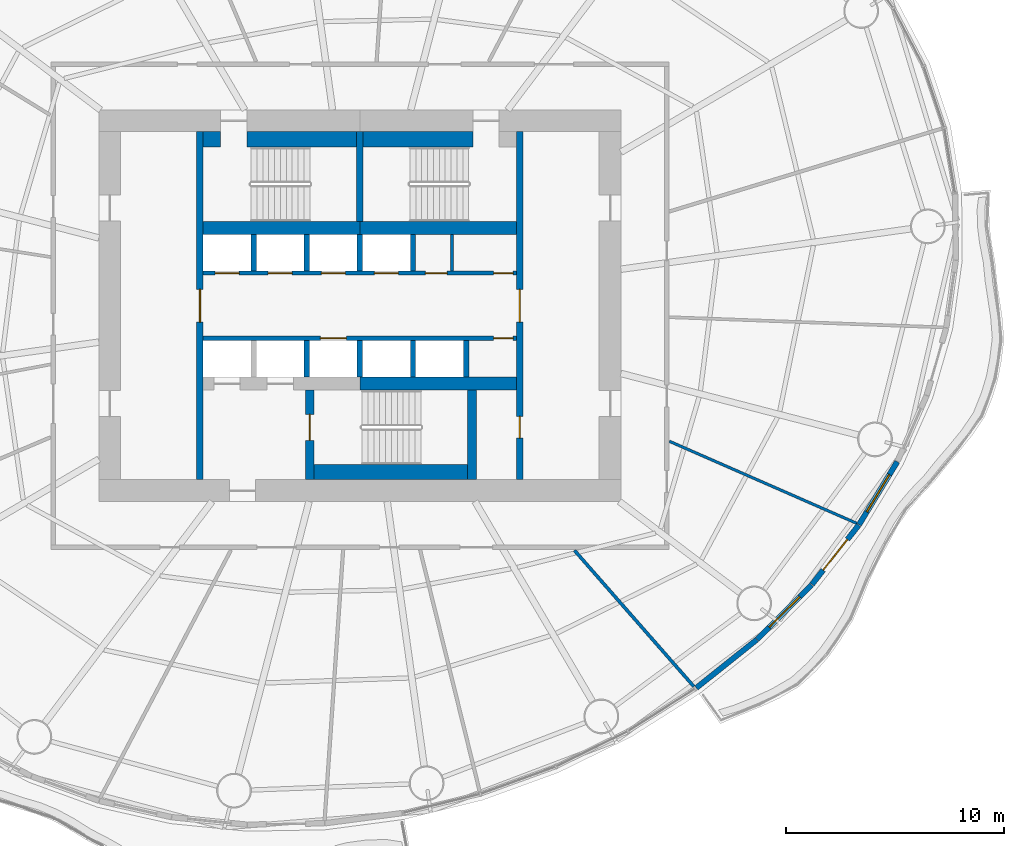
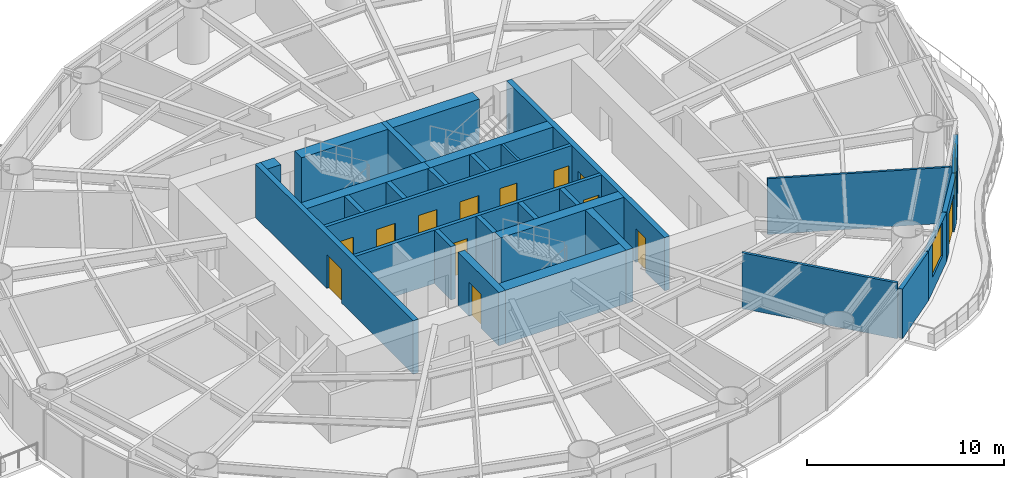
# One storey, part 9 of 14: 29 walls, 13 doors, 2 windows, 15 openings.
"""IFC4 building model written with IfcOpenShell, lengths in metres."""

from ifc_helpers import new_model, si_unit, direction, frame, frame_2d, origin, place, context, subcontext, project, spatial, rectangle, extrude, material, layer, layer_set, type_object, element, fill, save


model = new_model("IFC4")

# Units and contexts
model_context = context("Model", 3, precision=1e-05, world=origin(), true_north=direction((0.0, 1.0)))
body_context = subcontext(model_context, "Body", "Model", "MODEL_VIEW")
ifc_project = project(units=[si_unit("LENGTHUNIT", "METRE"), si_unit("AREAUNIT", "SQUARE_METRE"), si_unit("VOLUMEUNIT", "CUBIC_METRE"), si_unit("PLANEANGLEUNIT", "RADIAN"), si_unit("MASSUNIT", "GRAM", prefix="KILO")], contexts=[model_context])

# Site, building, storey
site_placement = place(None, origin())
site = spatial("IfcSite", under=ifc_project, at=site_placement, CompositionType="ELEMENT")
building_placement = place(site_placement, origin())
building = spatial("IfcBuilding", under=site, at=building_placement, Name="Vermilion Reach Broadcast Tower", CompositionType="ELEMENT")
storey_placement = place(building_placement, frame((0.0, 0.0, 124.60009765625)))
storey = spatial("IfcBuildingStorey", under=building, at=storey_placement, Name="L29", CompositionType="ELEMENT", Elevation=124.60009765625)

# Wall, opening, door
ifc_material_1 = material(Name="Concrete C70", Category="concrete")
ifc_layer_1 = layer(ifc_material_1, 0.300048828125)
ifc_layer_set_1 = layer_set([ifc_layer_1], Name="Core inner wall 300 mm Concrete C70")
wall_type_1 = type_object("IfcWallType", Name="Core inner wall 300 mm Concrete C70", PredefinedType="SHEAR", material=ifc_layer_set_1)
wall_1_placement = place(storey_placement, frame((-13.35009765625, 8.0, 0.0), z_axis=(0.0, 0.0, 1.0), x_axis=(0.0, -1.0, 0.0)))
wall_1 = element("IfcWall", 1, at=wall_1_placement, inside=storey, type_object=wall_type_1, Name="L29 core wall ewW", PredefinedType="SHEAR", context=body_context, shape_type="SweptSolid", body=[
    extrude(rectangle(XDim=16.0, YDim=0.300048828125, at=frame_2d((8.0, 0.0))), origin(), (0.0, 0.0, 1.0), 3.2998046875),
])
opening_1_placement = place(wall_1_placement, frame((7.25, 0.0, 0.0)))
opening_1 = element("IfcOpeningElement", 2, at=opening_1_placement, cuts=wall_1, Name="Opening D04", PredefinedType="OPENING", context=body_context, shape_type="SweptSolid", body=[
    extrude(rectangle(XDim=1.5, YDim=2.10009765625, at=frame_2d((0.75, 1.050048828125))), frame((0.0, 0.159912109375, 0.0), z_axis=(0.0, -1.0, 0.0), x_axis=(1.0, 0.0, 0.0)), (0.0, 0.0, 1.0), 0.320068359375),
])
ifc_material_2 = material(Name="Painted steel fire door", Category="steel")
door_type_1 = type_object("IfcDoorType", Name="Lift lobby door 1500 x 2100", OperationType="DOUBLE_DOOR_SINGLE_SWING", PredefinedType="NOTDEFINED", material=ifc_material_2)
door_1_placement = place(opening_1_placement, origin())
door_1 = element("IfcDoor", 3, at=door_1_placement, inside=storey, type_object=door_type_1, Name="L29 band door BW", OperationType="DOUBLE_DOOR_SINGLE_SWING", OverallHeight=2.10009765625, OverallWidth=1.5, PredefinedType="NOTDEFINED", context=body_context, shape_type="SweptSolid", body=[
    extrude(rectangle(XDim=1.5, YDim=2.10009765625, at=frame_2d((0.75, 1.050048828125))), frame((0.0, 0.02490234375, 0.0), z_axis=(0.0, -1.0, 0.0), x_axis=(1.0, 0.0, 0.0)), (0.0, 0.0, 1.0), 0.050048828125),
])
fill(opening_1, door_1)

# Wall, openings, doors
wall_2_placement = place(storey_placement, frame((1.35009765625, -8.0, 0.0), z_axis=(0.0, 0.0, 1.0), x_axis=(0.0, 1.0, 0.0)))
wall_2 = element("IfcWall", 4, at=wall_2_placement, inside=storey, type_object=wall_type_1, Name="L29 core wall ewE", PredefinedType="SHEAR", context=body_context, shape_type="SweptSolid", body=[
    extrude(rectangle(XDim=16.0, YDim=0.300048828125, at=frame_2d((8.0, 0.0))), origin(), (0.0, 0.0, 1.0), 3.2998046875),
])
opening_2_placement = place(wall_2_placement, frame((1.909912109375, 0.0, 0.0)))
opening_2 = element("IfcOpeningElement", 5, at=opening_2_placement, cuts=wall_2, Name="Opening D05", PredefinedType="OPENING", context=body_context, shape_type="SweptSolid", body=[
    extrude(rectangle(XDim=1.0, YDim=2.10009765625, at=frame_2d((0.5, 1.050048828125))), frame((0.0, 0.159912109375, 0.0), z_axis=(0.0, -1.0, 0.0), x_axis=(1.0, 0.0, 0.0)), (0.0, 0.0, 1.0), 0.320068359375),
])
opening_3_placement = place(wall_2_placement, frame((7.25, 0.0, 0.0)))
opening_3 = element("IfcOpeningElement", 6, at=opening_3_placement, cuts=wall_2, Name="Opening D04", PredefinedType="OPENING", context=body_context, shape_type="SweptSolid", body=[
    extrude(rectangle(XDim=1.5, YDim=2.10009765625, at=frame_2d((0.75, 1.050048828125))), frame((0.0, 0.159912109375, 0.0), z_axis=(0.0, -1.0, 0.0), x_axis=(1.0, 0.0, 0.0)), (0.0, 0.0, 1.0), 0.320068359375),
])
door_2_placement = place(opening_3_placement, origin())
door_2 = element("IfcDoor", 7, at=door_2_placement, inside=storey, type_object=door_type_1, Name="L29 band door BE", OperationType="DOUBLE_DOOR_SINGLE_SWING", OverallHeight=2.10009765625, OverallWidth=1.5, PredefinedType="NOTDEFINED", context=body_context, shape_type="SweptSolid", body=[
    extrude(rectangle(XDim=1.5, YDim=2.10009765625, at=frame_2d((0.75, 1.050048828125))), frame((0.0, 0.02490234375, 0.0), z_axis=(0.0, -1.0, 0.0), x_axis=(1.0, 0.0, 0.0)), (0.0, 0.0, 1.0), 0.050048828125),
])
fill(opening_3, door_2)
ifc_material_3 = material(Name="Timber door", Category="wood")
door_type_2 = type_object("IfcDoorType", Name="Room door 1000 x 2100", OperationType="NOTDEFINED", PredefinedType="NOTDEFINED", material=ifc_material_3)
door_3_placement = place(opening_2_placement, origin())
door_3 = element("IfcDoor", 8, at=door_3_placement, inside=storey, type_object=door_type_2, Name="L29 door SER", OperationType="SINGLE_SWING_LEFT", OverallHeight=2.10009765625, OverallWidth=1.0, PredefinedType="NOTDEFINED", context=body_context, shape_type="SweptSolid", body=[
    extrude(rectangle(XDim=1.0, YDim=2.10009765625, at=frame_2d((0.5, 1.050048828125))), frame((0.0, 0.02490234375, 0.0), z_axis=(0.0, -1.0, 0.0), x_axis=(1.0, 0.0, 0.0)), (0.0, 0.0, 1.0), 0.050048828125),
])
fill(opening_2, door_3)

# Wall
wall_3_placement = place(storey_placement, frame((-6.0, 3.8798828125, 0.0), z_axis=(0.0, 0.0, 1.0), x_axis=(0.0, 1.0, 0.0)))
element("IfcWall", 9, at=wall_3_placement, inside=storey, type_object=wall_type_1, Name="L29 core wall wc", PredefinedType="SHEAR", context=body_context, shape_type="SweptSolid", body=[
    extrude(rectangle(XDim=4.1201171875, YDim=0.300048828125, at=frame_2d((2.06005859375, 0.0))), origin(), (0.0, 0.0, 1.0), 3.2998046875),
])

# Wall, opening, door
ifc_material_4 = material(Name="Concrete C70", Category="concrete")
ifc_layer_2 = layer(ifc_material_4, 0.39990234375)
ifc_layer_set_2 = layer_set([ifc_layer_2], Name="Core inner wall 400 mm Concrete C70")
wall_type_2 = type_object("IfcWallType", Name="Core inner wall 400 mm Concrete C70", PredefinedType="SHEAR", material=ifc_layer_set_2)
wall_4_placement = place(storey_placement, frame((-8.300048828125, -3.8798828125, 0.0), z_axis=(0.0, 0.0, 1.0), x_axis=(0.0, -1.0, 0.0)))
wall_4 = element("IfcWall", 10, at=wall_4_placement, inside=storey, type_object=wall_type_2, Name="L29 core wall wa", PredefinedType="SHEAR", context=body_context, shape_type="SweptSolid", body=[
    extrude(rectangle(XDim=4.1201171875, YDim=0.39990234375, at=frame_2d((2.06005859375, 0.0))), origin(), (0.0, 0.0, 1.0), 3.2998046875),
])
opening_4_placement = place(wall_4_placement, frame((1.110107421875, 0.0, 0.0)))
opening_4 = element("IfcOpeningElement", 11, at=opening_4_placement, cuts=wall_4, Name="Opening D01", PredefinedType="OPENING", context=body_context, shape_type="SweptSolid", body=[
    extrude(rectangle(XDim=1.199951171875, YDim=2.10009765625, at=frame_2d((0.60009765625, 1.050048828125))), frame((0.0, 0.2099609375, 0.0), z_axis=(0.0, -1.0, 0.0), x_axis=(1.0, 0.0, 0.0)), (0.0, 0.0, 1.0), 0.419921875),
])
ifc_material_5 = material(Name="Painted steel fire door", Category="steel")
door_type_3 = type_object("IfcDoorType", Name="Stair door 1200 x 2100", OperationType="DOUBLE_DOOR_SINGLE_SWING", PredefinedType="NOTDEFINED", material=ifc_material_5)
door_4_placement = place(opening_4_placement, origin())
door_4 = element("IfcDoor", 12, at=door_4_placement, inside=storey, type_object=door_type_3, Name="L29 stair door ST3", OperationType="DOUBLE_DOOR_SINGLE_SWING", OverallHeight=2.10009765625, OverallWidth=1.199951171875, PredefinedType="NOTDEFINED", context=body_context, shape_type="SweptSolid", body=[
    extrude(rectangle(XDim=1.199951171875, YDim=2.10009765625, at=frame_2d((0.60009765625, 1.050048828125))), frame((0.0, 0.02490234375, 0.0), z_axis=(0.0, -1.0, 0.0), x_axis=(1.0, 0.0, 0.0)), (0.0, 0.0, 1.0), 0.050048828125),
])
fill(opening_4, door_4)

# Walls
wall_5_placement = place(storey_placement, frame((-0.85009765625, -3.8798828125, 0.0), z_axis=(0.0, 0.0, 1.0), x_axis=(0.0, -1.0, 0.0)))
element("IfcWall", 13, at=wall_5_placement, inside=storey, type_object=wall_type_2, Name="L29 core wall wb", PredefinedType="SHEAR", context=body_context, shape_type="SweptSolid", body=[
    extrude(rectangle(XDim=4.1201171875, YDim=0.39990234375, at=frame_2d((2.06005859375, 0.0))), origin(), (0.0, 0.0, 1.0), 3.2998046875),
])
ifc_material_6 = material(Name="Concrete C70", Category="concrete")
ifc_layer_3 = layer(ifc_material_6, 0.60009765625)
ifc_layer_set_3 = layer_set([ifc_layer_3], Name="Core inner wall 600 mm Concrete C70")
wall_type_3 = type_object("IfcWallType", Name="Core inner wall 600 mm Concrete C70", PredefinedType="SHEAR", material=ifc_layer_set_3)
for number, where, z_axis, x_axis, name in (
    (14, (-13.199951171875, 3.580078125, 0.0), (0.0, 0.0, 1.0), (1.0, 0.0, 0.0), "L29 core wall winW"),
    (15, (-6.0, 3.580078125, 0.0), (0.0, 0.0, 1.0), (1.0, 0.0, 0.0), "L29 core wall winE"),
    (16, (-6.0, -3.580078125, 0.0), (0.0, 0.0, 1.0), (1.0, 0.0, 0.0), "L29 core wall wisE"),
):
    element("IfcWall", number, at=place(storey_placement, frame(where, z_axis=z_axis, x_axis=x_axis)), inside=storey, type_object=wall_type_3, Name=name, PredefinedType="SHEAR", context=body_context, shape_type="SweptSolid", body=[
        extrude(rectangle(XDim=7.199951171875, YDim=0.60009765625, at=frame_2d((3.60009765625, 0.0))), origin(), (0.0, 0.0, 1.0), 3.2998046875),
    ])
ifc_material_7 = material(Name="Masonry block", Category="masonry")
ifc_layer_4 = layer(ifc_material_7, 0.14990234375)
ifc_layer_set_4 = layer_set([ifc_layer_4], Name="Core partition wall 150 mm Masonry block")
wall_type_4 = type_object("IfcWallType", Name="Core partition wall 150 mm Masonry block", PredefinedType="PARTITIONING", material=ifc_layer_set_4)
wall_6_placement = place(storey_placement, frame((-1.765380859375, 1.60009765625, 0.0), z_axis=(0.0, 0.0, 1.0), x_axis=(0.0, 1.0, 0.0)))
element("IfcWall", 17, at=wall_6_placement, inside=storey, type_object=wall_type_4, Name="L29 core wall prN4235", PredefinedType="PARTITIONING", context=body_context, shape_type="SweptSolid", body=[
    extrude(rectangle(XDim=1.679931640625, YDim=0.14990234375, at=frame_2d((0.83984375, 0.0))), origin(), (0.0, 0.0, 1.0), 3.2998046875),
])

# Wall, openings, doors
ifc_material_8 = material(Name="Concrete C50", Category="concrete")
ifc_layer_5 = layer(ifc_material_8, 0.199951171875)
ifc_layer_set_5 = layer_set([ifc_layer_5], Name="Core shaft wall 200 mm Concrete C50")
wall_type_5 = type_object("IfcWallType", Name="Core shaft wall 200 mm Concrete C50", PredefinedType="SHEAR", material=ifc_layer_set_5)
wall_7_placement = place(storey_placement, frame((-13.199951171875, 1.5, 0.0), z_axis=(0.0, 0.0, 1.0), x_axis=(1.0, 0.0, 0.0)))
wall_7 = element("IfcWall", 18, at=wall_7_placement, inside=storey, type_object=wall_type_5, Name="L29 core wall fn", PredefinedType="SHEAR", context=body_context, shape_type="SweptSolid", body=[
    extrude(rectangle(XDim=14.39990234375, YDim=0.199951171875, at=frame_2d((7.199951171875, 0.0))), origin(), (0.0, 0.0, 1.0), 3.2998046875),
])
opening_5_placement = place(wall_7_placement, frame((0.5458984375, 0.0, 0.0)))
opening_5 = element("IfcOpeningElement", 19, at=opening_5_placement, cuts=wall_7, Name="Opening LD2", PredefinedType="OPENING", context=body_context, shape_type="SweptSolid", body=[
    extrude(rectangle(XDim=1.10009765625, YDim=2.10009765625, at=frame_2d((0.550048828125, 1.050048828125))), frame((0.0, 0.10986328125, 0.0), z_axis=(0.0, -1.0, 0.0), x_axis=(1.0, 0.0, 0.0)), (0.0, 0.0, 1.0), 0.219970703125),
])
opening_6_placement = place(wall_7_placement, frame((2.987548828125, 0.0, 0.0)))
opening_6 = element("IfcOpeningElement", 20, at=opening_6_placement, cuts=wall_7, Name="Opening LD2", PredefinedType="OPENING", context=body_context, shape_type="SweptSolid", body=[
    extrude(rectangle(XDim=1.10009765625, YDim=2.10009765625, at=frame_2d((0.550048828125, 1.050048828125))), frame((0.0, 0.10986328125, 0.0), z_axis=(0.0, -1.0, 0.0), x_axis=(1.0, 0.0, 0.0)), (0.0, 0.0, 1.0), 0.219970703125),
])
opening_7_placement = place(wall_7_placement, frame((5.42919921875, 0.0, 0.0)))
opening_7 = element("IfcOpeningElement", 21, at=opening_7_placement, cuts=wall_7, Name="Opening LD2", PredefinedType="OPENING", context=body_context, shape_type="SweptSolid", body=[
    extrude(rectangle(XDim=1.10009765625, YDim=2.10009765625, at=frame_2d((0.550048828125, 1.050048828125))), frame((0.0, 0.10986328125, 0.0), z_axis=(0.0, -1.0, 0.0), x_axis=(1.0, 0.0, 0.0)), (0.0, 0.0, 1.0), 0.219970703125),
])
opening_8_placement = place(wall_7_placement, frame((7.870849609375, 0.0, 0.0)))
opening_8 = element("IfcOpeningElement", 22, at=opening_8_placement, cuts=wall_7, Name="Opening LD2", PredefinedType="OPENING", context=body_context, shape_type="SweptSolid", body=[
    extrude(rectangle(XDim=1.10009765625, YDim=2.10009765625, at=frame_2d((0.550048828125, 1.050048828125))), frame((0.0, 0.10986328125, 0.0), z_axis=(0.0, -1.0, 0.0), x_axis=(1.0, 0.0, 0.0)), (0.0, 0.0, 1.0), 0.219970703125),
])
opening_9_placement = place(wall_7_placement, frame((10.209716796875, 0.0, 0.0)))
opening_9 = element("IfcOpeningElement", 23, at=opening_9_placement, cuts=wall_7, Name="Opening D07", PredefinedType="OPENING", context=body_context, shape_type="SweptSolid", body=[
    extrude(rectangle(XDim=1.0, YDim=2.10009765625, at=frame_2d((0.5, 1.050048828125))), frame((0.0, 0.10986328125, 0.0), z_axis=(0.0, -1.0, 0.0), x_axis=(1.0, 0.0, 0.0)), (0.0, 0.0, 1.0), 0.219970703125),
])
opening_10_placement = place(wall_7_placement, frame((13.35009765625, 0.0, 0.0)))
opening_10 = element("IfcOpeningElement", 24, at=opening_10_placement, cuts=wall_7, Name="Opening D06", PredefinedType="OPENING", context=body_context, shape_type="SweptSolid", body=[
    extrude(rectangle(XDim=0.89990234375, YDim=2.10009765625, at=frame_2d((0.449951171875, 1.050048828125))), frame((0.0, 0.10986328125, 0.0), z_axis=(0.0, -1.0, 0.0), x_axis=(1.0, 0.0, 0.0)), (0.0, 0.0, 1.0), 0.219970703125),
])
ifc_material_9 = material(Name="Timber door", Category="wood")
door_type_4 = type_object("IfcDoorType", Name="Accessible WC door 1000 x 2100", OperationType="NOTDEFINED", PredefinedType="NOTDEFINED", material=ifc_material_9)
door_5_placement = place(opening_9_placement, origin())
door_5 = element("IfcDoor", 25, at=door_5_placement, inside=storey, type_object=door_type_4, Name="L29 door Accessible WC", OperationType="SINGLE_SWING_RIGHT", OverallHeight=2.10009765625, OverallWidth=1.0, PredefinedType="NOTDEFINED", context=body_context, shape_type="SweptSolid", body=[
    extrude(rectangle(XDim=1.0, YDim=2.10009765625, at=frame_2d((0.5, 1.050048828125))), frame((0.0, 0.02490234375, 0.0), z_axis=(0.0, -1.0, 0.0), x_axis=(1.0, 0.0, 0.0)), (0.0, 0.0, 1.0), 0.050048828125),
])
fill(opening_9, door_5)
ifc_material_10 = material(Name="Stainless steel", Category="steel")
door_type_5 = type_object("IfcDoorType", Name="Landing door 1100 x 2100", OperationType="DOUBLE_DOOR_SLIDING", PredefinedType="NOTDEFINED", material=ifc_material_10)
door_6_placement = place(opening_5_placement, origin())
door_6 = element("IfcDoor", 26, at=door_6_placement, inside=storey, type_object=door_type_5, Name="L29 landing door LR1", OperationType="DOUBLE_DOOR_SLIDING", OverallHeight=2.10009765625, OverallWidth=1.10009765625, PredefinedType="NOTDEFINED", context=body_context, shape_type="SweptSolid", body=[
    extrude(rectangle(XDim=1.10009765625, YDim=2.10009765625, at=frame_2d((0.550048828125, 1.050048828125))), frame((0.0, 0.02490234375, 0.0), z_axis=(0.0, -1.0, 0.0), x_axis=(1.0, 0.0, 0.0)), (0.0, 0.0, 1.0), 0.050048828125),
])
fill(opening_5, door_6)
door_7_placement = place(opening_6_placement, origin())
door_7 = element("IfcDoor", 27, at=door_7_placement, inside=storey, type_object=door_type_5, Name="L29 landing door LR2", OperationType="DOUBLE_DOOR_SLIDING", OverallHeight=2.10009765625, OverallWidth=1.10009765625, PredefinedType="NOTDEFINED", context=body_context, shape_type="SweptSolid", body=[
    extrude(rectangle(XDim=1.10009765625, YDim=2.10009765625, at=frame_2d((0.550048828125, 1.050048828125))), frame((0.0, 0.02490234375, 0.0), z_axis=(0.0, -1.0, 0.0), x_axis=(1.0, 0.0, 0.0)), (0.0, 0.0, 1.0), 0.050048828125),
])
fill(opening_6, door_7)
door_8_placement = place(opening_7_placement, origin())
door_8 = element("IfcDoor", 28, at=door_8_placement, inside=storey, type_object=door_type_5, Name="L29 landing door LR3", OperationType="DOUBLE_DOOR_SLIDING", OverallHeight=2.10009765625, OverallWidth=1.10009765625, PredefinedType="NOTDEFINED", context=body_context, shape_type="SweptSolid", body=[
    extrude(rectangle(XDim=1.10009765625, YDim=2.10009765625, at=frame_2d((0.550048828125, 1.050048828125))), frame((0.0, 0.02490234375, 0.0), z_axis=(0.0, -1.0, 0.0), x_axis=(1.0, 0.0, 0.0)), (0.0, 0.0, 1.0), 0.050048828125),
])
fill(opening_7, door_8)
door_9_placement = place(opening_8_placement, origin())
door_9 = element("IfcDoor", 29, at=door_9_placement, inside=storey, type_object=door_type_5, Name="L29 landing door LR4", OperationType="DOUBLE_DOOR_SLIDING", OverallHeight=2.10009765625, OverallWidth=1.10009765625, PredefinedType="NOTDEFINED", context=body_context, shape_type="SweptSolid", body=[
    extrude(rectangle(XDim=1.10009765625, YDim=2.10009765625, at=frame_2d((0.550048828125, 1.050048828125))), frame((0.0, 0.02490234375, 0.0), z_axis=(0.0, -1.0, 0.0), x_axis=(1.0, 0.0, 0.0)), (0.0, 0.0, 1.0), 0.050048828125),
])
fill(opening_8, door_9)
ifc_material_11 = material(Name="Timber door", Category="wood")
door_type_6 = type_object("IfcDoorType", Name="WC door 900 x 2100", OperationType="NOTDEFINED", PredefinedType="NOTDEFINED", material=ifc_material_11)
door_10_placement = place(opening_10_placement, origin())
door_10 = element("IfcDoor", 30, at=door_10_placement, inside=storey, type_object=door_type_6, Name="L29 door Female WC", OperationType="SINGLE_SWING_RIGHT", OverallHeight=2.10009765625, OverallWidth=0.89990234375, PredefinedType="NOTDEFINED", context=body_context, shape_type="SweptSolid", body=[
    extrude(rectangle(XDim=0.89990234375, YDim=2.10009765625, at=frame_2d((0.449951171875, 1.050048828125))), frame((0.0, 0.02490234375, 0.0), z_axis=(0.0, -1.0, 0.0), x_axis=(1.0, 0.0, 0.0)), (0.0, 0.0, 1.0), 0.050048828125),
])
fill(opening_10, door_10)

wall_8_placement = place(storey_placement, frame((1.199951171875, -1.5, 0.0), z_axis=(0.0, 0.0, 1.0), x_axis=(-1.0, 0.0, 0.0)))
wall_8 = element("IfcWall", 31, at=wall_8_placement, inside=storey, type_object=wall_type_5, Name="L29 core wall fs", PredefinedType="SHEAR", context=body_context, shape_type="SweptSolid", body=[
    extrude(rectangle(XDim=14.39990234375, YDim=0.199951171875, at=frame_2d((7.199951171875, 0.0))), origin(), (0.0, 0.0, 1.0), 3.2998046875),
])
opening_11_placement = place(wall_8_placement, frame((7.82080078125, 0.0, 0.0)))
opening_11 = element("IfcOpeningElement", 32, at=opening_11_placement, cuts=wall_8, Name="Opening LD1", PredefinedType="OPENING", context=body_context, shape_type="SweptSolid", body=[
    extrude(rectangle(XDim=1.199951171875, YDim=2.10009765625, at=frame_2d((0.60009765625, 1.050048828125))), frame((0.0, 0.10986328125, 0.0), z_axis=(0.0, -1.0, 0.0), x_axis=(1.0, 0.0, 0.0)), (0.0, 0.0, 1.0), 0.219970703125),
])
opening_12_placement = place(wall_8_placement, frame((0.14990234375, 0.0, 0.0)))
opening_12 = element("IfcOpeningElement", 33, at=opening_12_placement, cuts=wall_8, Name="Opening D06", PredefinedType="OPENING", context=body_context, shape_type="SweptSolid", body=[
    extrude(rectangle(XDim=0.89990234375, YDim=2.10009765625, at=frame_2d((0.449951171875, 1.050048828125))), frame((0.0, 0.10986328125, 0.0), z_axis=(0.0, -1.0, 0.0), x_axis=(1.0, 0.0, 0.0)), (0.0, 0.0, 1.0), 0.219970703125),
])
ifc_material_12 = material(Name="Stainless steel", Category="steel")
door_type_7 = type_object("IfcDoorType", Name="Landing door 1200 x 2100", OperationType="DOUBLE_DOOR_SLIDING", PredefinedType="NOTDEFINED", material=ifc_material_12)
door_11_placement = place(opening_11_placement, origin())
door_11 = element("IfcDoor", 34, at=door_11_placement, inside=storey, type_object=door_type_7, Name="L29 landing door SV1", OperationType="DOUBLE_DOOR_SLIDING", OverallHeight=2.10009765625, OverallWidth=1.199951171875, PredefinedType="NOTDEFINED", context=body_context, shape_type="SweptSolid", body=[
    extrude(rectangle(XDim=1.199951171875, YDim=2.10009765625, at=frame_2d((0.60009765625, 1.050048828125))), frame((0.0, 0.02490234375, 0.0), z_axis=(0.0, -1.0, 0.0), x_axis=(1.0, 0.0, 0.0)), (0.0, 0.0, 1.0), 0.050048828125),
])
fill(opening_11, door_11)
door_12_placement = place(opening_12_placement, origin())
door_12 = element("IfcDoor", 35, at=door_12_placement, inside=storey, type_object=door_type_6, Name="L29 door Male WC", OperationType="SINGLE_SWING_LEFT", OverallHeight=2.10009765625, OverallWidth=0.89990234375, PredefinedType="NOTDEFINED", context=body_context, shape_type="SweptSolid", body=[
    extrude(rectangle(XDim=0.89990234375, YDim=2.10009765625, at=frame_2d((0.449951171875, 1.050048828125))), frame((0.0, 0.02490234375, 0.0), z_axis=(0.0, -1.0, 0.0), x_axis=(1.0, 0.0, 0.0)), (0.0, 0.0, 1.0), 0.050048828125),
])
fill(opening_12, door_12)

# Walls
ifc_material_13 = material(Name="Concrete C50", Category="concrete")
ifc_layer_6 = layer(ifc_material_13, 0.25)
ifc_layer_set_6 = layer_set([ifc_layer_6], Name="Core shaft wall 250 mm Concrete C50")
wall_type_6 = type_object("IfcWallType", Name="Core shaft wall 250 mm Concrete C50", PredefinedType="SHEAR", material=ifc_layer_set_6)
for number, where, z_axis, x_axis, name in (
    (36, (-10.88330078125, 1.60009765625, 0.0), (0.0, 0.0, 1.0), (0.0, 1.0, 0.0), "L29 core wall psN0"),
    (37, (-8.441650390625, 1.60009765625, 0.0), (0.0, 0.0, 1.0), (0.0, 1.0, 0.0), "L29 core wall psN1"),
    (38, (-6.0, 1.60009765625, 0.0), (0.0, 0.0, 1.0), (0.0, 1.0, 0.0), "L29 core wall psN2"),
    (39, (-3.558349609375, 1.60009765625, 0.0), (0.0, 0.0, 1.0), (0.0, 1.0, 0.0), "L29 core wall psN3"),
    (40, (-8.441650390625, -1.60009765625, 0.0), (0.0, 0.0, 1.0), (0.0, -1.0, 0.0), "L29 core wall psS1"),
    (41, (-6.0, -1.60009765625, 0.0), (0.0, 0.0, 1.0), (0.0, -1.0, 0.0), "L29 core wall psS2"),
    (42, (-3.558349609375, -1.60009765625, 0.0), (0.0, 0.0, 1.0), (0.0, -1.0, 0.0), "L29 core wall psS3"),
    (43, (-1.11669921875, -1.60009765625, 0.0), (0.0, 0.0, 1.0), (0.0, -1.0, 0.0), "L29 core wall psS4"),
):
    element("IfcWall", number, at=place(storey_placement, frame(where, z_axis=z_axis, x_axis=x_axis)), inside=storey, type_object=wall_type_6, Name=name, PredefinedType="SHEAR", context=body_context, shape_type="SweptSolid", body=[
        extrude(rectangle(XDim=1.679931640625, YDim=0.25, at=frame_2d((0.83984375, 0.0))), origin(), (0.0, 0.0, 1.0), 3.2998046875),
    ])
ifc_material_14 = material(Name="Concrete C70", Category="concrete")
ifc_layer_7 = layer(ifc_material_14, 0.699951171875)
ifc_layer_set_7 = layer_set([ifc_layer_7], Name="Core stair wall 700 mm Concrete C70")
wall_type_7 = type_object("IfcWallType", Name="Core stair wall 700 mm Concrete C70", PredefinedType="SHEAR", material=ifc_layer_set_7)
wall_9_placement = place(storey_placement, frame((-13.199951171875, 7.64990234375, 0.0), z_axis=(0.0, 0.0, 1.0), x_axis=(1.0, 0.0, 0.0)))
element("IfcWall", 44, at=wall_9_placement, inside=storey, type_object=wall_type_7, Name="L29 core wall l1a", PredefinedType="SHEAR", context=body_context, shape_type="SweptSolid", body=[
    extrude(rectangle(XDim=0.800048828125, YDim=0.699951171875, at=frame_2d((0.39990234375, 0.0))), origin(), (0.0, 0.0, 1.0), 3.2998046875),
])
for number, where, z_axis, x_axis, name in (
    (45, (-11.199951171875, 7.64990234375, 0.0), (0.0, 0.0, 1.0), (1.0, 0.0, 0.0), "L29 core wall l1b"),
    (46, (-5.85009765625, 7.64990234375, 0.0), (0.0, 0.0, 1.0), (1.0, 0.0, 0.0), "L29 core wall l2a"),
):
    element("IfcWall", number, at=place(storey_placement, frame(where, z_axis=z_axis, x_axis=x_axis)), inside=storey, type_object=wall_type_7, Name=name, PredefinedType="SHEAR", context=body_context, shape_type="SweptSolid", body=[
        extrude(rectangle(XDim=5.050048828125, YDim=0.699951171875, at=frame_2d((2.52490234375, 0.0))), origin(), (0.0, 0.0, 1.0), 3.2998046875),
    ])
wall_10_placement = place(storey_placement, frame((-8.10009765625, -7.64990234375, 0.0), z_axis=(0.0, 0.0, 1.0), x_axis=(1.0, 0.0, 0.0)))
element("IfcWall", 47, at=wall_10_placement, inside=storey, type_object=wall_type_7, Name="L29 core wall l3", PredefinedType="SHEAR", context=body_context, shape_type="SweptSolid", body=[
    extrude(rectangle(XDim=7.050048828125, YDim=0.699951171875, at=frame_2d((3.52490234375, 0.0))), origin(), (0.0, 0.0, 1.0), 3.2998046875),
])
ifc_material_15 = material(Name="Fire-rated plasterboard on steel stud", Category="steel")
ifc_layer_8 = layer(ifc_material_15, 0.125)
ifc_layer_set_8 = layer_set([ifc_layer_8], Name="Partition 125 fire-rated stud")
wall_type_8 = type_object("IfcWallType", Name="Partition 125 fire-rated stud", PredefinedType="PARTITIONING", material=ifc_layer_set_8)
wall_11_placement = place(storey_placement, frame((16.83642578125, -10.00341796875, 0.0), z_axis=(0.0, 0.0, 1.0), x_axis=(-0.915971282718, 0.401243827661, 0.0)))
element("IfcWall", 48, at=wall_11_placement, inside=storey, type_object=wall_type_8, Name="Partition 29.12", PredefinedType="PARTITIONING", context=body_context, shape_type="SweptSolid", body=[
    extrude(rectangle(XDim=9.4013671875, YDim=0.125, at=frame_2d((4.70068359375, 0.0))), origin(), (0.0, 0.0, 1.0), 3.449951171875),
])
ifc_material_16 = material(Name="Lightweight concrete block, plastered", Category="concrete")
ifc_layer_9 = layer(ifc_material_16, 0.14990234375)
ifc_layer_set_9 = layer_set([ifc_layer_9], Name="Partition 150 lightweight block")
wall_type_9 = type_object("IfcWallType", Name="Partition 150 lightweight block", PredefinedType="PARTITIONING", material=ifc_layer_set_9)
wall_12_placement = place(storey_placement, frame((9.34912109375, -17.50146484375, 0.0), z_axis=(0.0, 0.0, 1.0), x_axis=(-0.659368828272, 0.751819624845, 0.0)))
element("IfcWall", 49, at=wall_12_placement, inside=storey, type_object=wall_type_9, Name="Partition 29.11", PredefinedType="PARTITIONING", context=body_context, shape_type="SweptSolid", body=[
    extrude(rectangle(XDim=8.315673828125, YDim=0.14990234375, at=frame_2d((4.15771484375, 0.0))), origin(), (0.0, 0.0, 1.0), 3.449951171875),
])
ifc_material_17 = material(Name="Terracotta rainscreen cladding", Category="masonry")
ifc_layer_10 = layer(ifc_material_17, 0.25)
ifc_layer_set_10 = layer_set([ifc_layer_10], Name="Terracotta rainscreen wall 250")
wall_type_10 = type_object("IfcWallType", Name="Terracotta rainscreen wall 250", PredefinedType="SOLIDWALL", material=ifc_layer_set_10)
wall_13_placement = place(storey_placement, frame((9.464599609375, -17.56884765625, 0.0), z_axis=(0.0, 0.0, 1.0), x_axis=(0.781691181116, 0.623665693594, 0.0)))
element("IfcWall", 50, at=wall_13_placement, inside=storey, type_object=wall_type_10, Name="External wall L29 38", PredefinedType="SOLIDWALL", context=body_context, shape_type="SweptSolid", body=[
    extrude(rectangle(XDim=3.5595703125, YDim=0.25, at=frame_2d((1.77978515625, 0.0))), origin(), (0.0, 0.0, 1.0), 3.0498046875),
])

# Wall, opening, window
wall_14_placement = place(storey_placement, frame((12.263671875, -15.333984375, 0.0), z_axis=(0.0, 0.0, 1.0), x_axis=(0.706555538576, 0.707657594397, 0.0)))
wall_14 = element("IfcWall", 51, at=wall_14_placement, inside=storey, type_object=wall_type_10, Name="External wall L29 39", PredefinedType="SOLIDWALL", context=body_context, shape_type="SweptSolid", body=[
    extrude(rectangle(XDim=3.54443359375, YDim=0.25, at=frame_2d((1.772216796875, 0.0))), origin(), (0.0, 0.0, 1.0), 3.0498046875),
])
opening_13_placement = place(wall_14_placement, frame((0.772216796875, 0.0, 0.89990234375)))
opening_13 = element("IfcOpeningElement", 52, at=opening_13_placement, cuts=wall_14, Name="Opening W03", PredefinedType="OPENING", context=body_context, shape_type="SweptSolid", body=[
    extrude(rectangle(XDim=2.0, YDim=2.10009765625, at=frame_2d((1.0, 1.050048828125))), frame((0.0, 0.135009765625, 0.0), z_axis=(0.0, -1.0, 0.0), x_axis=(1.0, 0.0, 0.0)), (0.0, 0.0, 1.0), 0.27001953125),
])
ifc_material_18 = material(Name="Low-e laminated clear glass in aluminium frame", Category="aluminium")
window_type = type_object("IfcWindowType", Name="Punched window 2000 x 2100 sill 900", PartitioningType="SINGLE_PANEL", PredefinedType="WINDOW", material=ifc_material_18)
window_1_placement = place(opening_13_placement, origin())
window_1 = element("IfcWindow", 53, at=window_1_placement, inside=storey, type_object=window_type, Name="Window L29 39", OverallHeight=2.10009765625, OverallWidth=2.0, PartitioningType="SINGLE_PANEL", PredefinedType="WINDOW", context=body_context, shape_type="SweptSolid", body=[
    extrude(rectangle(XDim=2.0, YDim=2.10009765625, at=frame_2d((1.0, 1.050048828125))), frame((0.0, 0.030029296875, 0.0), z_axis=(0.0, -1.0, 0.0), x_axis=(1.0, 0.0, 0.0)), (0.0, 0.0, 1.0), 0.06005859375),
])
fill(opening_13, window_1)

# Wall, opening, door
wall_15_placement = place(storey_placement, frame((14.783203125, -12.808837890625, 0.0), z_axis=(0.0, 0.0, 1.0), x_axis=(0.61919708365, 0.785235615341, 0.0)))
wall_15 = element("IfcWall", 54, at=wall_15_placement, inside=storey, type_object=wall_type_10, Name="External wall L29 40", PredefinedType="SOLIDWALL", context=body_context, shape_type="SweptSolid", body=[
    extrude(rectangle(XDim=3.47021484375, YDim=0.25, at=frame_2d((1.735107421875, 0.0))), origin(), (0.0, 0.0, 1.0), 3.0498046875),
])
opening_14_placement = place(wall_15_placement, frame((0.8349609375, 0.0, 0.0)))
opening_14 = element("IfcOpeningElement", 55, at=opening_14_placement, cuts=wall_15, Name="Opening D70", PredefinedType="OPENING", context=body_context, shape_type="SweptSolid", body=[
    extrude(rectangle(XDim=1.800048828125, YDim=2.39990234375, at=frame_2d((0.89990234375, 1.199951171875))), frame((0.0, 0.135009765625, 0.0), z_axis=(0.0, -1.0, 0.0), x_axis=(1.0, 0.0, 0.0)), (0.0, 0.0, 1.0), 0.27001953125),
])
ifc_material_19 = material(Name="Low-e laminated clear glass in aluminium frame", Category="aluminium")
door_type_8 = type_object("IfcDoorType", Name="Balcony sliding door 1800 x 2400", OperationType="DOUBLE_DOOR_SLIDING", PredefinedType="DOOR", material=ifc_material_19)
door_13_placement = place(opening_14_placement, origin())
door_13 = element("IfcDoor", 56, at=door_13_placement, inside=storey, type_object=door_type_8, Name="Balcony door L29 run 10", OperationType="DOUBLE_DOOR_SLIDING", OverallHeight=2.39990234375, OverallWidth=1.800048828125, PredefinedType="DOOR", context=body_context, shape_type="SweptSolid", body=[
    extrude(rectangle(XDim=1.800048828125, YDim=2.39990234375, at=frame_2d((0.89990234375, 1.199951171875))), frame((0.0, 0.02490234375, 0.0), z_axis=(0.0, -1.0, 0.0), x_axis=(1.0, 0.0, 0.0)), (0.0, 0.0, 1.0), 0.050048828125),
])
fill(opening_14, door_13)

# Wall, opening, window
wall_16_placement = place(storey_placement, frame((16.9453125, -10.064697265625, 0.0), z_axis=(0.0, 0.0, 1.0), x_axis=(0.518868982656, 0.85485377629, 0.0)))
wall_16 = element("IfcWall", 57, at=wall_16_placement, inside=storey, type_object=wall_type_10, Name="External wall L29 41", PredefinedType="SOLIDWALL", context=body_context, shape_type="SweptSolid", body=[
    extrude(rectangle(XDim=3.385498046875, YDim=0.25, at=frame_2d((1.69287109375, 0.0))), origin(), (0.0, 0.0, 1.0), 3.0498046875),
])
opening_15_placement = place(wall_16_placement, frame((0.69287109375, 0.0, 0.89990234375)))
opening_15 = element("IfcOpeningElement", 58, at=opening_15_placement, cuts=wall_16, Name="Opening W03", PredefinedType="OPENING", context=body_context, shape_type="SweptSolid", body=[
    extrude(rectangle(XDim=2.0, YDim=2.10009765625, at=frame_2d((1.0, 1.050048828125))), frame((0.0, 0.135009765625, 0.0), z_axis=(0.0, -1.0, 0.0), x_axis=(1.0, 0.0, 0.0)), (0.0, 0.0, 1.0), 0.27001953125),
])
window_2_placement = place(opening_15_placement, origin())
window_2 = element("IfcWindow", 59, at=window_2_placement, inside=storey, type_object=window_type, Name="Window L29 41", OverallHeight=2.10009765625, OverallWidth=2.0, PartitioningType="SINGLE_PANEL", PredefinedType="WINDOW", context=body_context, shape_type="SweptSolid", body=[
    extrude(rectangle(XDim=2.0, YDim=2.10009765625, at=frame_2d((1.0, 1.050048828125))), frame((0.0, 0.030029296875, 0.0), z_axis=(0.0, -1.0, 0.0), x_axis=(1.0, 0.0, 0.0)), (0.0, 0.0, 1.0), 0.06005859375),
])
fill(opening_15, window_2)

save(model, "model.ifc")
